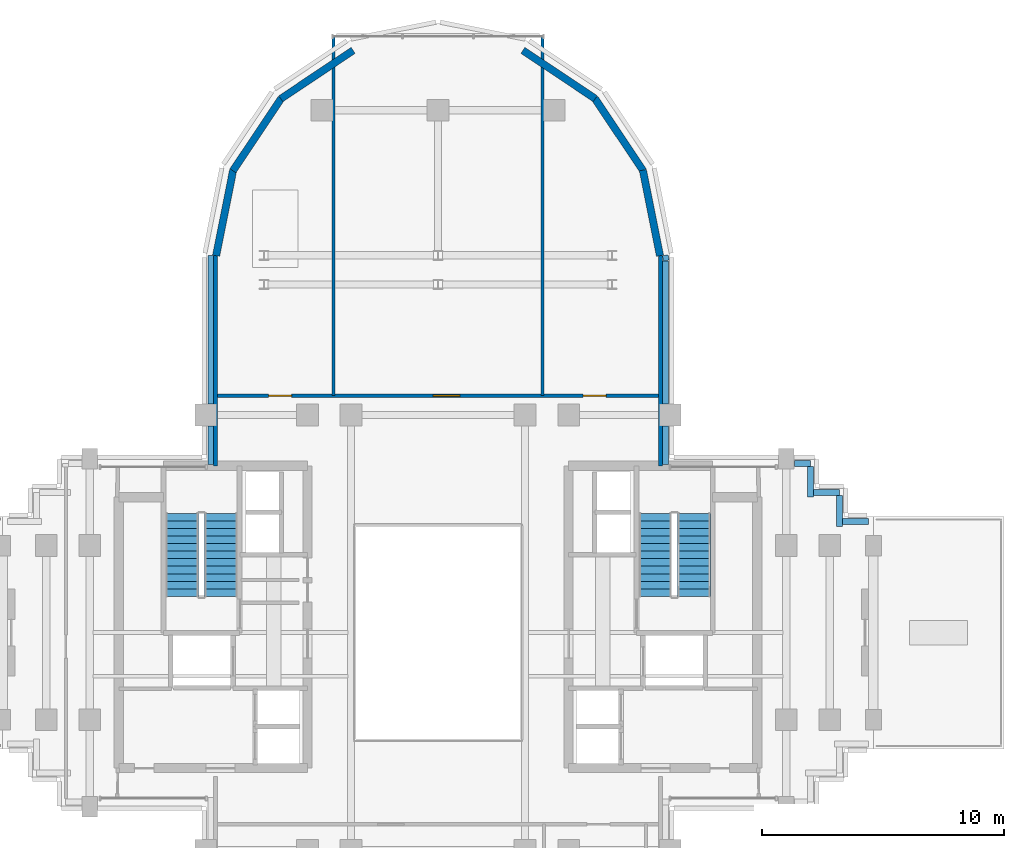
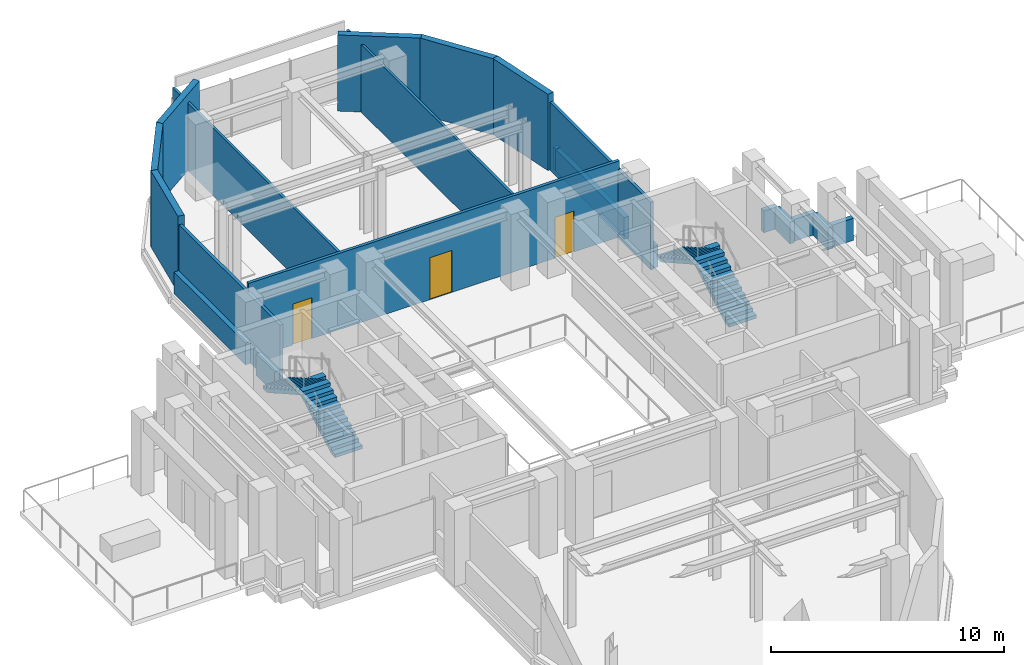
# One storey, part 8 of 12: 21 walls, 4 stair flights, 3 doors, 3 openings, 2 elements without a shape of their own.
"""IFC4 building model written with IfcOpenShell, lengths in metres."""

from ifc_helpers import new_model, si_unit, direction, frame, frame_2d, origin, place, context, subcontext, project, spatial, polyline, rectangle, outline, extrude, source, transform, mapped, material, layer, layer_set, type_object, element, fill, aggregate, save


model = new_model("IFC4")

# Units and contexts
model_context = context("Model", 3, precision=1e-05, world=origin(), true_north=direction((0.0, 1.0)))
body_context = subcontext(model_context, "Body", "Model", "MODEL_VIEW")
ifc_project = project(units=[si_unit("LENGTHUNIT", "METRE"), si_unit("AREAUNIT", "SQUARE_METRE"), si_unit("VOLUMEUNIT", "CUBIC_METRE"), si_unit("PLANEANGLEUNIT", "RADIAN"), si_unit("MASSUNIT", "GRAM", prefix="KILO")], contexts=[model_context])

# Site, building, storey
site_placement = place(None, origin())
site = spatial("IfcSite", under=ifc_project, at=site_placement, CompositionType="ELEMENT")
building_placement = place(site_placement, origin())
building = spatial("IfcBuilding", under=site, at=building_placement, Name="Keilestroom Media Tower", CompositionType="ELEMENT")
storey_placement = place(building_placement, frame((0.0, 0.0, 156.199951171875)))
storey = spatial("IfcBuildingStorey", under=building, at=storey_placement, Name="L42", CompositionType="ELEMENT", Elevation=156.199951171875)

# Walls
ifc_material_1 = material(Name="Precast concrete C40/50", Category="concrete")
ifc_layer_1 = layer(ifc_material_1, 0.300048828125)
ifc_layer_set_1 = layer_set([ifc_layer_1], Name="Precast concrete C40/50")
wall_type_1 = type_object("IfcWallType", Name="Exterior-Masonry-Spandrel-Wall-300", PredefinedType="SOLIDWALL", material=ifc_layer_set_1)
for number, where, z_axis, x_axis, name in (
    (1, (9.1748046875, 15.585205078125, 0.0), (0.0, 0.0, 1.0), (-0.195114232679, 0.980780523974, 0.0), "L42 Lobe Facet Precast Frame Wall 01"),
    (2, (8.48193359375, 19.097412109375, 0.0), (0.0, 0.0, 1.0), (-0.555574187116, 0.831466970246, 0.0), "L42 Lobe Facet Precast Frame Wall 02"),
):
    element("IfcWall", number, at=place(storey_placement, frame(where, z_axis=z_axis, x_axis=x_axis)), inside=storey, type_object=wall_type_1, Name=name, PredefinedType="SOLIDWALL", context=body_context, shape_type="SweptSolid", body=[
        extrude(rectangle(XDim=3.608642578125, YDim=0.300048828125, at=frame_2d((1.80419921875, 0.0))), origin(), (0.0, 0.0, 1.0), 4.0),
    ])
for number, where, z_axis, x_axis, name in (
    (3, (6.497802734375, 22.0771484375, 0.0), (0.0, 0.0, 1.0), (-0.8314749531, 0.555562239868, 0.0), "L42 Lobe Facet Precast Frame Wall 03"),
    (4, (-3.510009765625, 24.073486328125, 0.0), (0.0, 0.0, 1.0), (-0.8314749531, -0.555562239868, 0.0), "L42 Lobe Facet Precast Frame Wall 04"),
):
    element("IfcWall", number, at=place(storey_placement, frame(where, z_axis=z_axis, x_axis=x_axis)), inside=storey, type_object=wall_type_1, Name=name, PredefinedType="SOLIDWALL", context=body_context, shape_type="SweptSolid", body=[
        extrude(rectangle(XDim=3.59326171875, YDim=0.300048828125, at=frame_2d((1.796630859375, 0.0))), origin(), (0.0, 0.0, 1.0), 4.0),
    ])
for number, where, z_axis, x_axis, name in (
    (5, (-6.47705078125, 22.097900390625, 0.0), (0.0, 0.0, 1.0), (-0.555574187116, -0.831466970246, 0.0), "L42 Lobe Facet Precast Frame Wall 05"),
    (6, (-8.470703125, 19.12451171875, 0.0), (0.0, 0.0, 1.0), (-0.195114232679, -0.980780523974, 0.0), "L42 Lobe Facet Precast Frame Wall 06"),
):
    element("IfcWall", number, at=place(storey_placement, frame(where, z_axis=z_axis, x_axis=x_axis)), inside=storey, type_object=wall_type_1, Name=name, PredefinedType="SOLIDWALL", context=body_context, shape_type="SweptSolid", body=[
        extrude(rectangle(XDim=3.608642578125, YDim=0.300048828125, at=frame_2d((1.80419921875, 0.0))), origin(), (0.0, 0.0, 1.0), 4.0),
    ])
ifc_material_2 = material(Name="Gypsum Plasterboard & Steel Stud", Category="steel")
ifc_layer_2 = layer(ifc_material_2, 0.1201171875)
ifc_layer_set_2 = layer_set([ifc_layer_2], Name="Gypsum Plasterboard & Steel Stud")
wall_type_2 = type_object("IfcWallType", Name="Interior-Partition-Wall-120", PredefinedType="PARTITIONING", material=ifc_layer_set_2)
for number, where, z_axis, x_axis, name in (
    (7, (-4.320068359375, 9.800048828125, 0.0), (0.0, 0.0, 1.0), (0.0, 1.0, 0.0), "L42 Interior Wall WP-L42-NL-VW"),
    (8, (4.320068359375, 9.800048828125, 0.0), (0.0, 0.0, 1.0), (0.0, 1.0, 0.0), "L42 Interior Wall WP-L42-NL-VE"),
):
    element("IfcWall", number, at=place(storey_placement, frame(where, z_axis=z_axis, x_axis=x_axis)), inside=storey, type_object=wall_type_2, Name=name, PredefinedType="PARTITIONING", context=body_context, shape_type="SweptSolid", body=[
        extrude(rectangle(XDim=14.849853515625, YDim=0.1201171875, at=frame_2d((7.4248046875, 0.0))), origin(), (0.0, 0.0, 1.0), 3.550048828125),
    ])

# Wall, openings, doors
ifc_layer_3 = layer(ifc_material_2, 0.14990234375)
ifc_layer_set_3 = layer_set([ifc_layer_3], Name="Gypsum Plasterboard & Steel Stud")
wall_type_3 = type_object("IfcWallType", Name="Interior-Partition-Wall-150", PredefinedType="PARTITIONING", material=ifc_layer_set_3)
wall_1_placement = place(storey_placement, frame((-9.199951171875, 9.800048828125, 0.0), z_axis=(0.0, 0.0, 1.0), x_axis=(1.0, 0.0, 0.0)))
wall_1 = element("IfcWall", 9, at=wall_1_placement, inside=storey, type_object=wall_type_3, Name="L42 Interior Wall WP-L42-NL-BASE", PredefinedType="PARTITIONING", context=body_context, shape_type="SweptSolid", body=[
    extrude(rectangle(XDim=18.39990234375, YDim=0.14990234375, at=frame_2d((9.199951171875, 0.0))), origin(), (0.0, 0.0, 1.0), 4.0),
])
opening_1_placement = place(wall_1_placement, frame((2.199951171875, 0.0, 0.0)))
opening_1 = element("IfcOpeningElement", 10, at=opening_1_placement, cuts=wall_1, Name="Opening DI-03", PredefinedType="OPENING", context=body_context, shape_type="SweptSolid", body=[
    extrude(rectangle(XDim=0.949951171875, YDim=2.14990234375, at=frame_2d((0.47509765625, 1.074951171875))), frame((0.0, 0.0849609375, 0.0), z_axis=(0.0, -1.0, 0.0), x_axis=(1.0, 0.0, 0.0)), (0.0, 0.0, 1.0), 0.169921875),
])
opening_2_placement = place(wall_1_placement, frame((9.0, 0.0, 0.0)))
opening_2 = element("IfcOpeningElement", 11, at=opening_2_placement, cuts=wall_1, Name="Opening DI-04", PredefinedType="OPENING", context=body_context, shape_type="SweptSolid", body=[
    extrude(rectangle(XDim=1.10009765625, YDim=2.199951171875, at=frame_2d((0.550048828125, 1.10009765625))), frame((0.0, 0.0849609375, 0.0), z_axis=(0.0, -1.0, 0.0), x_axis=(1.0, 0.0, 0.0)), (0.0, 0.0, 1.0), 0.169921875),
])
opening_3_placement = place(wall_1_placement, frame((15.199951171875, 0.0, 0.0)))
opening_3 = element("IfcOpeningElement", 12, at=opening_3_placement, cuts=wall_1, Name="Opening DI-03", PredefinedType="OPENING", context=body_context, shape_type="SweptSolid", body=[
    extrude(rectangle(XDim=0.949951171875, YDim=2.14990234375, at=frame_2d((0.47509765625, 1.074951171875))), frame((0.0, 0.0849609375, 0.0), z_axis=(0.0, -1.0, 0.0), x_axis=(1.0, 0.0, 0.0)), (0.0, 0.0, 1.0), 0.169921875),
])
ifc_material_3 = material(Name="Lacquered European Oak Leaf", Category="wood")
door_type_1 = type_object("IfcDoorType", Name="Interior-Room-And-Suite-Door-DI-03", OperationType="NOTDEFINED", PredefinedType="DOOR", material=ifc_material_3)
shared_shape_1 = source(origin(), body_context, "Body", "SweptSolid", [
    extrude(rectangle(XDim=0.949951171875, YDim=2.14990234375, at=frame_2d((0.47509765625, 1.074951171875))), frame((0.0, 0.02490234375, 0.0), z_axis=(0.0, -1.0, 0.0), x_axis=(1.0, 0.0, 0.0)), (0.0, 0.0, 1.0), 0.050048828125),
])
door_1_placement = place(opening_1_placement, origin())
door_1 = element("IfcDoor", 13, at=door_1_placement, inside=storey, type_object=door_type_1, Name="L42 Interior Door DI-L42-DNL-W", OperationType="SINGLE_SWING_RIGHT", OverallHeight=2.14990234375, OverallWidth=0.949951171875, PredefinedType="DOOR", context=body_context, shape_type="MappedRepresentation", body=[
    mapped(shared_shape_1, transform((0.0, 0.0, 0.0), x_axis=(1.0, 0.0, 0.0), y_axis=(0.0, 1.0, 0.0), z_axis=(0.0, 0.0, 1.0), scale=1.0)),
])
fill(opening_1, door_1)
door_2_placement = place(opening_3_placement, origin())
door_2 = element("IfcDoor", 14, at=door_2_placement, inside=storey, type_object=door_type_1, Name="L42 Interior Door DI-L42-DNL-E", OperationType="SINGLE_SWING_RIGHT", OverallHeight=2.14990234375, OverallWidth=0.949951171875, PredefinedType="DOOR", context=body_context, shape_type="MappedRepresentation", body=[
    mapped(shared_shape_1, transform((0.0, 0.0, 0.0), x_axis=(1.0, 0.0, 0.0), y_axis=(0.0, 1.0, 0.0), z_axis=(0.0, 0.0, 1.0), scale=1.0)),
])
fill(opening_3, door_2)
ifc_material_4 = material(Name="Acoustic Glazed Aluminium Leaf", Category="aluminium")
door_type_2 = type_object("IfcDoorType", Name="Interior-Room-And-Suite-Door-DI-04", OperationType="NOTDEFINED", PredefinedType="DOOR", material=ifc_material_4)
shared_shape_2 = source(origin(), body_context, "Body", "SweptSolid", [
    extrude(rectangle(XDim=1.10009765625, YDim=2.199951171875, at=frame_2d((0.550048828125, 1.10009765625))), frame((0.0, 0.02490234375, 0.0), z_axis=(0.0, -1.0, 0.0), x_axis=(1.0, 0.0, 0.0)), (0.0, 0.0, 1.0), 0.050048828125),
])
door_3_placement = place(opening_2_placement, origin())
door_3 = element("IfcDoor", 15, at=door_3_placement, inside=storey, type_object=door_type_2, Name="L42 Interior Door DI-L42-DNL-C", OperationType="SINGLE_SWING_LEFT", OverallHeight=2.199951171875, OverallWidth=1.10009765625, PredefinedType="DOOR", context=body_context, shape_type="MappedRepresentation", body=[
    mapped(shared_shape_2, transform((0.0, 0.0, 0.0), x_axis=(1.0, 0.0, 0.0), y_axis=(0.0, 1.0, 0.0), z_axis=(0.0, 0.0, 1.0), scale=1.0)),
])
fill(opening_2, door_3)

# Walls
for number, where, z_axis, x_axis, name in (
    (16, (-9.199951171875, 6.89990234375, 0.0), (0.0, 0.0, 1.0), (0.0, 1.0, 0.0), "L42 Interior Wall WP-L42-NL-CHKW"),
    (17, (9.199951171875, 6.89990234375, 0.0), (0.0, 0.0, 1.0), (0.0, 1.0, 0.0), "L42 Interior Wall WP-L42-NL-CHKE"),
):
    element("IfcWall", number, at=place(storey_placement, frame(where, z_axis=z_axis, x_axis=x_axis)), inside=storey, type_object=wall_type_3, Name=name, PredefinedType="PARTITIONING", context=body_context, shape_type="SweptSolid", body=[
        extrude(rectangle(XDim=8.780029296875, YDim=0.14990234375, at=frame_2d((4.39013671875, 0.0))), origin(), (0.0, 0.0, 1.0), 3.550048828125),
    ])
ifc_layer_4 = layer(ifc_material_1, 0.239990234375)
ifc_layer_set_4 = layer_set([ifc_layer_4], Name="Precast concrete C40/50")
wall_type_4 = type_object("IfcWallType", Name="Roof-And-Terrace-Parapet-Wall-240", PredefinedType="PARAPET", material=ifc_layer_set_4)
wall_2_placement = place(storey_placement, frame((-9.39990234375, 6.952880859375, 0.0), z_axis=(0.0, 0.0, 1.0), x_axis=(0.0, 1.0, 0.0)))
element("IfcWall", 18, at=wall_2_placement, inside=storey, type_object=wall_type_4, Name="L42 Perimeter Edge Parapet Wall 23", PredefinedType="PARAPET", context=body_context, shape_type="SweptSolid", body=[
    extrude(rectangle(XDim=1.59423828125, YDim=0.239990234375, at=frame_2d((0.797119140625, 0.0))), origin(), (0.0, 0.0, 1.0), 1.150146484375),
])
wall_3_placement = place(storey_placement, frame((-9.39990234375, 9.452880859375, 0.0), z_axis=(0.0, 0.0, 1.0), x_axis=(0.0, 1.0, 0.0)))
element("IfcWall", 19, at=wall_3_placement, inside=storey, type_object=wall_type_4, Name="L42 Perimeter Edge Parapet Wall 24", PredefinedType="PARAPET", context=body_context, shape_type="SweptSolid", body=[
    extrude(rectangle(XDim=6.14990234375, YDim=0.239990234375, at=frame_2d((3.074951171875, 0.0))), origin(), (0.0, 0.0, 1.0), 1.150146484375),
])
wall_4_placement = place(storey_placement, frame((9.395263671875, 15.604248046875, 0.0), z_axis=(0.0, 0.0, 1.0), x_axis=(0.194652052864, -0.980872355771, 0.0)))
element("IfcWall", 20, at=wall_4_placement, inside=storey, type_object=wall_type_4, Name="L42 Perimeter Edge Parapet Wall 25", PredefinedType="PARAPET", context=body_context, shape_type="SweptSolid", body=[
    extrude(rectangle(XDim=0.224609375, YDim=0.239990234375, at=frame_2d((0.1123046875, 0.0))), origin(), (0.0, 0.0, 1.0), 1.150146484375),
])
wall_5_placement = place(storey_placement, frame((9.39990234375, 15.357666015625, 0.0), z_axis=(0.0, 0.0, 1.0), x_axis=(0.0, -1.0, 0.0)))
element("IfcWall", 21, at=wall_5_placement, inside=storey, type_object=wall_type_4, Name="L42 Perimeter Edge Parapet Wall 26", PredefinedType="PARAPET", context=body_context, shape_type="SweptSolid", body=[
    extrude(rectangle(XDim=5.90478515625, YDim=0.239990234375, at=frame_2d((2.952392578125, 0.0))), origin(), (0.0, 0.0, 1.0), 1.150146484375),
])
wall_6_placement = place(storey_placement, frame((9.39990234375, 8.547119140625, 0.0), z_axis=(0.0, 0.0, 1.0), x_axis=(0.0, -1.0, 0.0)))
element("IfcWall", 22, at=wall_6_placement, inside=storey, type_object=wall_type_4, Name="L42 Perimeter Edge Parapet Wall 27", PredefinedType="PARAPET", context=body_context, shape_type="SweptSolid", body=[
    extrude(rectangle(XDim=1.59423828125, YDim=0.239990234375, at=frame_2d((0.797119140625, 0.0))), origin(), (0.0, 0.0, 1.0), 1.150146484375),
])
wall_7_placement = place(storey_placement, frame((14.72802734375, 7.0, 0.0), z_axis=(0.0, 0.0, 1.0), x_axis=(1.0, 0.0, 0.0)))
element("IfcWall", 23, at=wall_7_placement, inside=storey, type_object=wall_type_4, Name="L42 Perimeter Edge Parapet Wall 28", PredefinedType="PARAPET", context=body_context, shape_type="SweptSolid", body=[
    extrude(rectangle(XDim=0.671875, YDim=0.239990234375, at=frame_2d((0.3359375, 0.0))), origin(), (0.0, 0.0, 1.0), 1.150146484375),
])
wall_8_placement = place(storey_placement, frame((15.39990234375, 6.876953125, 0.0), z_axis=(0.0, 0.0, 1.0), x_axis=(0.0, -1.0, 0.0)))
element("IfcWall", 24, at=wall_8_placement, inside=storey, type_object=wall_type_4, Name="L42 Perimeter Edge Parapet Wall 29", PredefinedType="PARAPET", context=body_context, shape_type="SweptSolid", body=[
    extrude(rectangle(XDim=1.27685546875, YDim=0.239990234375, at=frame_2d((0.638427734375, 0.0))), origin(), (0.0, 0.0, 1.0), 1.150146484375),
])
wall_9_placement = place(storey_placement, frame((15.52294921875, 5.800048828125, 0.0), z_axis=(0.0, 0.0, 1.0), x_axis=(1.0, 0.0, 0.0)))
element("IfcWall", 25, at=wall_9_placement, inside=storey, type_object=wall_type_4, Name="L42 Perimeter Edge Parapet Wall 30", PredefinedType="PARAPET", context=body_context, shape_type="SweptSolid", body=[
    extrude(rectangle(XDim=1.0771484375, YDim=0.239990234375, at=frame_2d((0.53857421875, 0.0))), origin(), (0.0, 0.0, 1.0), 1.150146484375),
])
wall_10_placement = place(storey_placement, frame((16.60009765625, 5.677001953125, 0.0), z_axis=(0.0, 0.0, 1.0), x_axis=(0.0, -1.0, 0.0)))
element("IfcWall", 26, at=wall_10_placement, inside=storey, type_object=wall_type_4, Name="L42 Perimeter Edge Parapet Wall 31", PredefinedType="PARAPET", context=body_context, shape_type="SweptSolid", body=[
    extrude(rectangle(XDim=1.277099609375, YDim=0.239990234375, at=frame_2d((0.638671875, 0.0))), origin(), (0.0, 0.0, 1.0), 1.150146484375),
])
wall_11_placement = place(storey_placement, frame((16.722900390625, 4.60009765625, 0.0), z_axis=(0.0, 0.0, 1.0), x_axis=(1.0, 0.0, 0.0)))
element("IfcWall", 27, at=wall_11_placement, inside=storey, type_object=wall_type_4, Name="L42 Perimeter Edge Parapet Wall 32", PredefinedType="PARAPET", context=body_context, shape_type="SweptSolid", body=[
    extrude(rectangle(XDim=1.0771484375, YDim=0.239990234375, at=frame_2d((0.53857421875, 0.0))), origin(), (0.0, 0.0, 1.0), 1.150146484375),
])

# Stair, stair flights
ifc_material_5 = material(Name="Concrete C45/55", Category="concrete")
stair_type = type_object("IfcStairType", Name="Enclosed-Dog-Leg-Stair-ST-CORE", PredefinedType="HALF_TURN_STAIR", material=ifc_material_5)
stair_1_placement = place(storey_placement, origin())
stair_1 = element("IfcStair", 28, at=stair_1_placement, inside=storey, type_object=stair_type, Name="L42 West Core Escape Stair ST-1", PredefinedType="HALF_TURN_STAIR")
stair_flight_type = type_object("IfcStairFlightType", Name="Precast-Concrete-Stair-Flight-Core-160", PredefinedType="STRAIGHT", material=ifc_material_1)
stair_flight_1_placement = place(storey_placement, frame((-8.97998046875, 1.5, 0.0), z_axis=(0.0, 0.0, 1.0), x_axis=(0.0, 1.0, 0.0)))
stair_flight_1 = element("IfcStairFlight", 29, at=stair_flight_1_placement, type_object=stair_flight_type, Name="ST-1 flight 1", NumberOfRisers=12, NumberOfTreads=11, PredefinedType="STRAIGHT", RiserHeight=0.175, TreadLength=0.312, context=body_context, shape_type="SweptSolid", body=[
    extrude(outline(polyline([(0.0, 0.0), (0.0, 0.175048828125), (0.31201171875, 0.175048828125), (0.31201171875, 0.35009765625), (0.6240234375, 0.35009765625), (0.6240234375, 0.52490234375), (0.93603515625, 0.52490234375), (0.93603515625, 0.699951171875), (1.248046875, 0.699951171875), (1.248046875, 0.875), (1.56005859375, 0.875), (1.56005859375, 1.050048828125), (1.8720703125, 1.050048828125), (1.8720703125, 1.22509765625), (2.18408203125, 1.22509765625), (2.18408203125, 1.39990234375), (2.49609375, 1.39990234375), (2.49609375, 1.574951171875), (2.80810546875, 1.574951171875), (2.80810546875, 1.75), (3.1201171875, 1.75), (3.1201171875, 1.925048828125), (3.431884765625, 1.925048828125), (3.431884765625, 2.10009765625), (3.431884765625, 1.74169921875), (0.326904296875, 0.0), (0.0, 0.0)])), frame((0.0, 0.68017578125, 0.0), z_axis=(0.0, -1.0, 0.0), x_axis=(1.0, 0.0, 0.0)), (0.0, 0.0, 1.0), 1.360107421875),
])
stair_flight_2_placement = place(storey_placement, frame((-10.580078125, 4.931884765625, 2.10009765625), z_axis=(0.0, 0.0, 1.0), x_axis=(0.0, -1.0, 0.0)))
stair_flight_2 = element("IfcStairFlight", 30, at=stair_flight_2_placement, type_object=stair_flight_type, Name="ST-1 flight 2", NumberOfRisers=12, NumberOfTreads=11, PredefinedType="STRAIGHT", RiserHeight=0.175, TreadLength=0.312, context=body_context, shape_type="SweptSolid", body=[
    extrude(outline(polyline([(0.0, 0.0), (0.0, 0.175048828125), (0.31201171875, 0.175048828125), (0.31201171875, 0.35009765625), (0.6240234375, 0.35009765625), (0.6240234375, 0.52490234375), (0.93603515625, 0.52490234375), (0.93603515625, 0.699951171875), (1.248046875, 0.699951171875), (1.248046875, 0.875), (1.56005859375, 0.875), (1.56005859375, 1.050048828125), (1.8720703125, 1.050048828125), (1.8720703125, 1.22509765625), (2.18408203125, 1.22509765625), (2.18408203125, 1.39990234375), (2.49609375, 1.39990234375), (2.49609375, 1.574951171875), (2.80810546875, 1.574951171875), (2.80810546875, 1.75), (3.1201171875, 1.75), (3.1201171875, 1.925048828125), (3.431884765625, 1.925048828125), (3.431884765625, 2.10009765625), (3.431884765625, 1.74169921875), (0.326904296875, 0.0), (0.0, 0.0)])), frame((0.0, 0.68017578125, 0.0), z_axis=(0.0, -1.0, 0.0), x_axis=(1.0, 0.0, 0.0)), (0.0, 0.0, 1.0), 1.360107421875),
])
aggregate(stair_1, [stair_flight_1, stair_flight_2])

stair_2_placement = place(storey_placement, origin())
stair_2 = element("IfcStair", 31, at=stair_2_placement, inside=storey, type_object=stair_type, Name="L42 East Core Escape Stair ST-2", PredefinedType="HALF_TURN_STAIR")
stair_flight_3_placement = place(storey_placement, frame((10.580078125, 1.5, 0.0), z_axis=(0.0, 0.0, 1.0), x_axis=(0.0, 1.0, 0.0)))
stair_flight_3 = element("IfcStairFlight", 32, at=stair_flight_3_placement, type_object=stair_flight_type, Name="ST-2 flight 1", NumberOfRisers=12, NumberOfTreads=11, PredefinedType="STRAIGHT", RiserHeight=0.175, TreadLength=0.312, context=body_context, shape_type="SweptSolid", body=[
    extrude(outline(polyline([(0.0, 0.0), (0.0, 0.175048828125), (0.31201171875, 0.175048828125), (0.31201171875, 0.35009765625), (0.6240234375, 0.35009765625), (0.6240234375, 0.52490234375), (0.93603515625, 0.52490234375), (0.93603515625, 0.699951171875), (1.248046875, 0.699951171875), (1.248046875, 0.875), (1.56005859375, 0.875), (1.56005859375, 1.050048828125), (1.8720703125, 1.050048828125), (1.8720703125, 1.22509765625), (2.18408203125, 1.22509765625), (2.18408203125, 1.39990234375), (2.49609375, 1.39990234375), (2.49609375, 1.574951171875), (2.80810546875, 1.574951171875), (2.80810546875, 1.75), (3.1201171875, 1.75), (3.1201171875, 1.925048828125), (3.431884765625, 1.925048828125), (3.431884765625, 2.10009765625), (3.431884765625, 1.74169921875), (0.326904296875, 0.0), (0.0, 0.0)])), frame((0.0, 0.68017578125, 0.0), z_axis=(0.0, -1.0, 0.0), x_axis=(1.0, 0.0, 0.0)), (0.0, 0.0, 1.0), 1.360107421875),
])
stair_flight_4_placement = place(storey_placement, frame((8.97998046875, 4.931884765625, 2.10009765625), z_axis=(0.0, 0.0, 1.0), x_axis=(0.0, -1.0, 0.0)))
stair_flight_4 = element("IfcStairFlight", 33, at=stair_flight_4_placement, type_object=stair_flight_type, Name="ST-2 flight 2", NumberOfRisers=12, NumberOfTreads=11, PredefinedType="STRAIGHT", RiserHeight=0.175, TreadLength=0.312, context=body_context, shape_type="SweptSolid", body=[
    extrude(outline(polyline([(0.0, 0.0), (0.0, 0.175048828125), (0.31201171875, 0.175048828125), (0.31201171875, 0.35009765625), (0.6240234375, 0.35009765625), (0.6240234375, 0.52490234375), (0.93603515625, 0.52490234375), (0.93603515625, 0.699951171875), (1.248046875, 0.699951171875), (1.248046875, 0.875), (1.56005859375, 0.875), (1.56005859375, 1.050048828125), (1.8720703125, 1.050048828125), (1.8720703125, 1.22509765625), (2.18408203125, 1.22509765625), (2.18408203125, 1.39990234375), (2.49609375, 1.39990234375), (2.49609375, 1.574951171875), (2.80810546875, 1.574951171875), (2.80810546875, 1.75), (3.1201171875, 1.75), (3.1201171875, 1.925048828125), (3.431884765625, 1.925048828125), (3.431884765625, 2.10009765625), (3.431884765625, 1.74169921875), (0.326904296875, 0.0), (0.0, 0.0)])), frame((0.0, 0.68017578125, 0.0), z_axis=(0.0, -1.0, 0.0), x_axis=(1.0, 0.0, 0.0)), (0.0, 0.0, 1.0), 1.360107421875),
])
aggregate(stair_2, [stair_flight_3, stair_flight_4])

save(model, "model.ifc")
